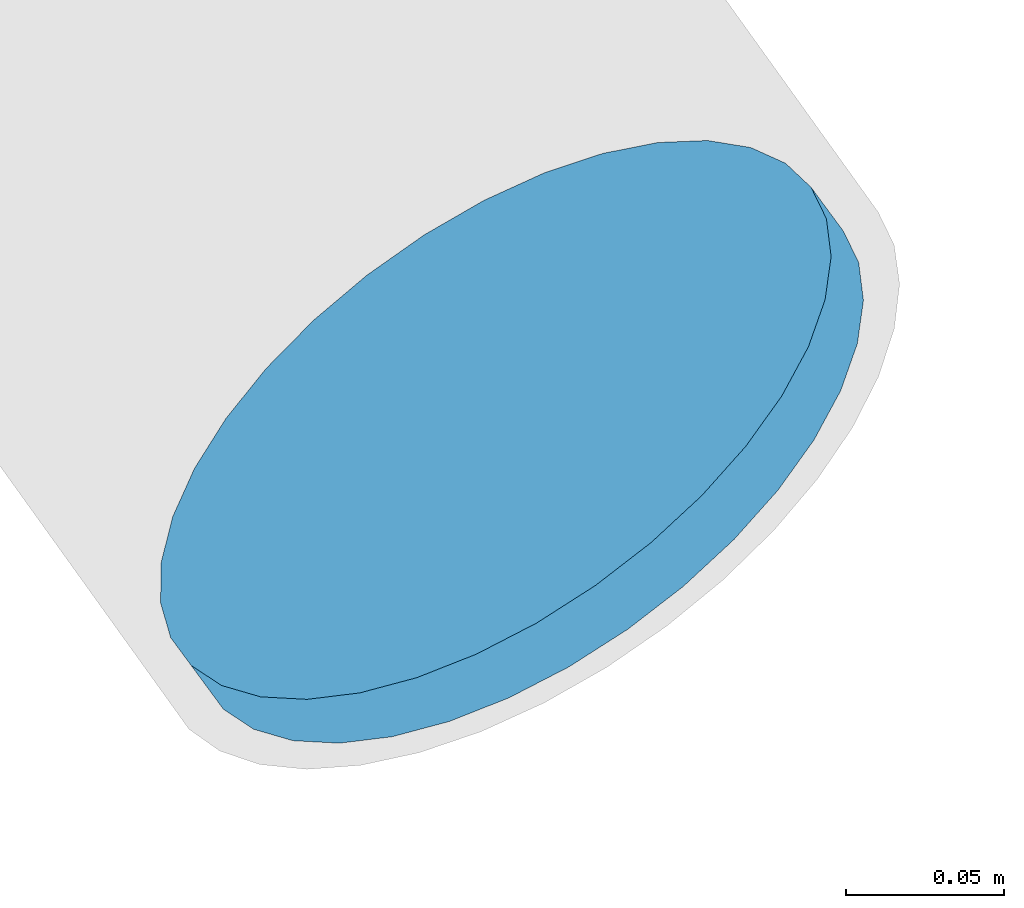
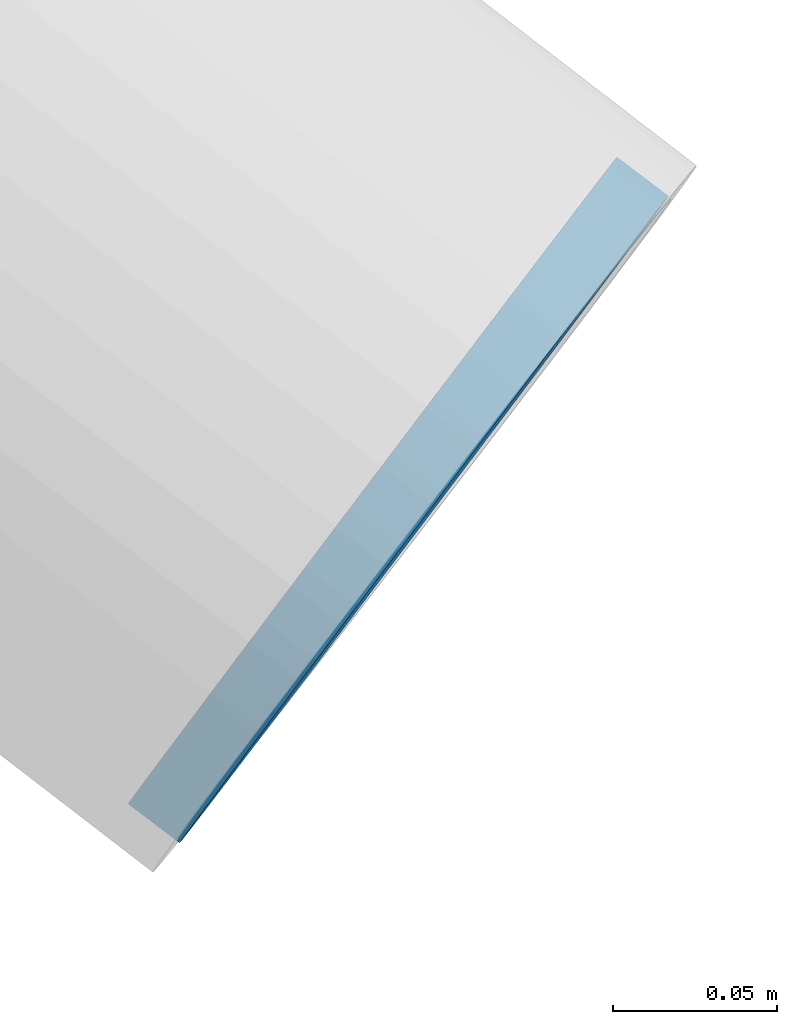
# One storey, part 31 of 41: 1 discrete accessory.
"""IFC4 building model written with IfcOpenShell, lengths in metres."""

from ifc_helpers import new_model, si_unit, direction, frame, origin, origin_2d, place, context, subcontext, project, spatial, circle, extrude, material, material_profile, profile_set, type_object, element, save


model = new_model("IFC4")

# Units and contexts
model_context = context("Model", 3, precision=1e-05, world=origin(), true_north=direction((0.0, 1.0)))
body_context = subcontext(model_context, "Body", "Model", "MODEL_VIEW")
ifc_project = project(units=[si_unit("LENGTHUNIT", "METRE"), si_unit("AREAUNIT", "SQUARE_METRE"), si_unit("VOLUMEUNIT", "CUBIC_METRE"), si_unit("PLANEANGLEUNIT", "RADIAN"), si_unit("MASSUNIT", "GRAM", prefix="KILO")], contexts=[model_context])

# Site, building, storey
site_placement = place(None, origin())
site = spatial("IfcSite", under=ifc_project, at=site_placement, CompositionType="ELEMENT")
building_placement = place(site_placement, origin())
building = spatial("IfcBuilding", under=site, at=building_placement, Name="Rimbun Link Towers", CompositionType="ELEMENT")
storey_placement = place(building_placement, frame((0.0, 0.0, 214.300048828125)))
storey = spatial("IfcBuildingStorey", under=building, at=storey_placement, Name="L52", CompositionType="ELEMENT", Elevation=214.300048828125)

# Discrete accessory
ifc_material = material(Name="Steel S355J2H", Category="steel")
ifc_material_profile = material_profile(ifc_material, circle(Radius=0.1240234375, at=origin_2d()), Name="PL D248")
ifc_profile_set = profile_set([ifc_material_profile], Name="Steel S355J2H")
discrete_accessory_type = type_object("IfcDiscreteAccessoryType", Name="Link foot sealing plate D248X20", PredefinedType="BRACKET", material=ifc_profile_set)
discrete_accessory_placement = place(storey_placement, frame((38.83837890625, -19.742919921875, -3.65625), z_axis=(0.516475861869, -0.700931526822, -0.491881773208), x_axis=(0.805055837353, 0.59319903805, 0.0)))
element("IfcDiscreteAccessory", 1, at=discrete_accessory_placement, inside=storey, type_object=discrete_accessory_type, Name="Link foot sealing plate T2 L52 16", PredefinedType="BRACKET", context=body_context, shape_type="SweptSolid", body=[
    extrude(circle(Radius=0.1240234375, at=origin_2d()), origin(), (0.0, 0.0, 1.0), 0.019775390625),
])

save(model, "model.ifc")
